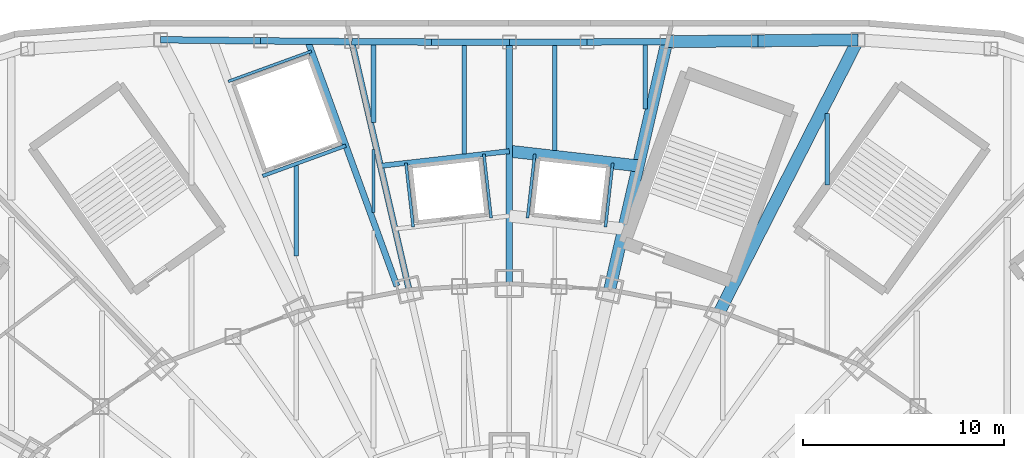
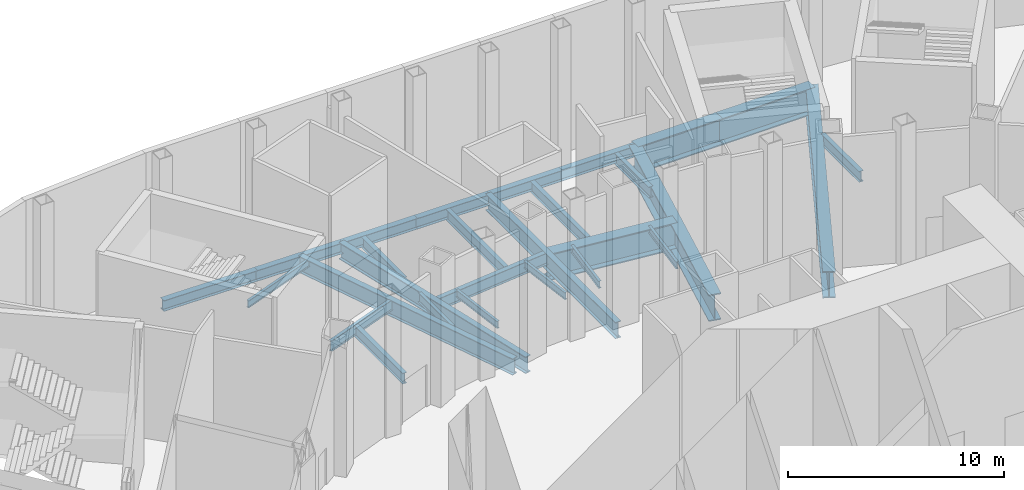
# One storey, part 8 of 74: 28 beams.
"""IFC4 building model written with IfcOpenShell, lengths in metres."""

import ifcopenshell
import ifcopenshell.guid

model = None  # the IFC model being written
_history = None  # IfcOwnerHistory: only IFC2X3 demands one
_inside = {}  # id of a spatial element -> (the spatial element, [elements in it])
_under = {}  # id of a project, library or spatial element -> (it, [spatial elements below it])
_declared = {}  # id of a project -> (the project, [libraries it declares])
_typed = {}  # id of a type object -> (the type object, [elements of that type])
_made_of = {}  # id of a material, layer set ... -> (it, [elements and type objects made of it])


def new_model(schema):
    """Start an empty IFC model of exactly this schema.

    Asked for "IFC4X3", IfcOpenShell would pick the latest addendum, in which some entities
    have other attributes; the version numbers below select the first issue.
    IFC2X3 requires an IfcOwnerHistory on every rooted entity: one is made here for all.
    """
    global model, _history
    if schema == "IFC4X3":
        model = ifcopenshell.file(schema_version=(4, 3, 0, 0))
    else:
        model = ifcopenshell.file(schema=schema)
    _inside.clear()
    _under.clear()
    _declared.clear()
    _typed.clear()
    _made_of.clear()
    _history = None
    if model.schema == "IFC2X3":
        org = make("IfcOrganization", Name="unknown")
        user = make(
            "IfcPersonAndOrganization",
            ThePerson=make("IfcPerson", FamilyName="unknown"),
            TheOrganization=org,
        )
        app = make(
            "IfcApplication",
            ApplicationDeveloper=org,
            Version="unknown",
            ApplicationFullName="unknown",
            ApplicationIdentifier="unknown",
        )
        _history = make(
            "IfcOwnerHistory",
            OwningUser=user,
            OwningApplication=app,
            ChangeAction="ADDED",
            CreationDate=0,
        )
    return model


def make(cls, **values):
    """One entity of the class cls with the attributes given. An attribute that is None is left unset."""
    return model.create_entity(
        cls, **{name: value for name, value in values.items() if value is not None}
    )


def rooted(cls, **values):
    """An entity with a GlobalId (a new one), such as an element, a storey or a relation."""
    return make(cls, GlobalId=ifcopenshell.guid.new(), OwnerHistory=_history, **values)


def si_unit(unit_type, name, prefix=None):
    """IfcSIUnit, for example si_unit("LENGTHUNIT", "METRE", prefix="MILLI")."""
    return make("IfcSIUnit", UnitType=unit_type, Prefix=prefix, Name=name)


def assignment(units):
    """IfcUnitAssignment: the units of a project."""
    return None if units is None else make("IfcUnitAssignment", Units=units)


def point(xyz):
    """IfcCartesianPoint."""
    return None if xyz is None else make("IfcCartesianPoint", Coordinates=xyz)


def direction(xyz):
    """IfcDirection."""
    return None if xyz is None else make("IfcDirection", DirectionRatios=xyz)


def frame(location, z_axis=None, x_axis=None):
    """IfcAxis2Placement3D, a coordinate frame: its origin and axes. An axis left out is left unset."""
    return make(
        "IfcAxis2Placement3D",
        Location=point(location),
        Axis=direction(z_axis),
        RefDirection=direction(x_axis),
    )


def frame_2d(location, x_axis=None):
    """IfcAxis2Placement2D, a coordinate frame in the plane: its origin and x axis."""
    return make(
        "IfcAxis2Placement2D", Location=point(location), RefDirection=direction(x_axis)
    )


def origin():
    """The frame at (0, 0, 0) with its axes left unset."""
    return frame((0.0, 0.0, 0.0))


def origin_2d():
    """The frame at (0, 0) in the plane with its x axis left unset."""
    return frame_2d((0.0, 0.0))


def place(relative_to, where):
    """IfcLocalPlacement: puts the frame where relative to a parent placement (None: the world)."""
    return make(
        "IfcLocalPlacement", PlacementRelTo=relative_to, RelativePlacement=where
    )


def context(
    kind, dimensions, precision=None, world=None, true_north=None, identifier=None
):
    """IfcGeometricRepresentationContext, for example the 3D "Model" context."""
    return make(
        "IfcGeometricRepresentationContext",
        ContextIdentifier=identifier,
        ContextType=kind,
        CoordinateSpaceDimension=dimensions,
        Precision=precision,
        WorldCoordinateSystem=world,
        TrueNorth=true_north,
    )


def subcontext(parent, identifier, kind, view, scale=None):
    """IfcGeometricRepresentationSubContext, for example "Body" below "Model"."""
    return make(
        "IfcGeometricRepresentationSubContext",
        ContextIdentifier=identifier,
        ContextType=kind,
        ParentContext=parent,
        TargetScale=scale,
        TargetView=view,
    )


def project(units=None, contexts=None):
    """IfcProject with its units and contexts."""
    return rooted(
        "IfcProject",
        Name="project",
        RepresentationContexts=contexts,
        UnitsInContext=assignment(units),
    )


def spatial(cls, under=None, at=None, **own):
    """A site, building, storey or space (cls), placed at a placement, below another one or the project."""
    s = rooted(cls, ObjectPlacement=at, **own)
    if under is not None:
        _under.setdefault(under.id(), (under, []))[1].append(s)
    return s


def profile(cls, at=None, kind="AREA", **sizes):
    """A parametric profile (cls). Its sizes go by their IFC names, for example OverallWidth=200.0."""
    return make(cls, ProfileType=kind, Position=at, **sizes)


def i_section(**sizes):
    """IfcIShapeProfileDef."""
    return profile("IfcIShapeProfileDef", **sizes)


def extrude(swept, where, along, depth):
    """IfcExtrudedAreaSolid: the profile swept, set in the frame where, extruded along a direction by depth."""
    return make(
        "IfcExtrudedAreaSolid",
        SweptArea=swept,
        Position=where,
        ExtrudedDirection=direction(along),
        Depth=depth,
    )


def shape(context_of_items, identifier, shape_type, items):
    """IfcShapeRepresentation: the items that make up one representation, for example the "Body"."""
    return make(
        "IfcShapeRepresentation",
        ContextOfItems=context_of_items,
        RepresentationIdentifier=identifier,
        RepresentationType=shape_type,
        Items=items,
    )


def material(Name=None, Category=None):
    """IfcMaterial."""
    return make("IfcMaterial", Name=Name, Category=Category)


def material_profile(
    of_material, cross_section, Name=None, Category=None, Priority=None
):
    """IfcMaterialProfile: a cross section and its material."""
    return make(
        "IfcMaterialProfile",
        Name=Name,
        Material=of_material,
        Profile=cross_section,
        Priority=Priority,
        Category=Category,
    )


def profile_set(profiles, Name=None, composite=None):
    """IfcMaterialProfileSet."""
    return make(
        "IfcMaterialProfileSet",
        Name=Name,
        MaterialProfiles=profiles,
        CompositeProfile=composite,
    )


def made_of(thing, what):
    """Note that an element or type object is made of a material, layer set ...; save() writes the relation."""
    if what is not None:
        _made_of.setdefault(what.id(), (what, []))[1].append(thing)
    return thing


def type_object(cls, material=None, **own):
    """A type object (cls), such as IfcWallType, which elements share."""
    return made_of(rooted(cls, **own), material)


def element(
    cls,
    number,
    at=None,
    inside=None,
    cuts=None,
    type_object=None,
    material=None,
    context=None,
    identifier="Body",
    shape_type=None,
    held_by="IfcProductDefinitionShape",
    body=None,
    shapes=None,
    **own,
):
    """One element of the class cls, such as IfcWall. Its Tag is "e" and its number.

    at: its placement. inside: the storey or other place that contains it. cuts: it is an
    opening in that element (IfcRelVoidsElement). A single representation is given by context,
    identifier, shape_type and body (its items); several are given by shapes. held_by: the class
    of the entity that holds the representations. save() writes the other relations.
    """
    e = rooted(cls, Tag="e%d" % number, ObjectPlacement=at, **own)
    if body is not None:
        shapes = [shape(context, identifier, shape_type, body)]
    if shapes is not None:
        e.Representation = make(held_by, Representations=shapes)
    if inside is not None:
        _inside.setdefault(inside.id(), (inside, []))[1].append(e)
    if cuts is not None:
        rooted(
            "IfcRelVoidsElement", RelatingBuildingElement=cuts, RelatedOpeningElement=e
        )
    if type_object is not None:
        _typed.setdefault(type_object.id(), (type_object, []))[1].append(e)
    return made_of(e, material)


def aggregate(whole, parts):
    """IfcRelAggregates: a whole, such as a stair, and the parts it consists of."""
    return rooted("IfcRelAggregates", RelatingObject=whole, RelatedObjects=parts)


def save(model, path):
    """Write the relations noted so far, then the file.

    IfcRelAggregates (storeys below a building ...), IfcRelContainedInSpatialStructure (elements
    in a storey), IfcRelDefinesByType, IfcRelAssociatesMaterial and IfcRelDeclares: one each for
    every whole, place, type object, material and project.
    """
    for whole, parts in _under.values():
        aggregate(whole, parts)
    for where, things in _inside.values():
        rooted(
            "IfcRelContainedInSpatialStructure",
            RelatedElements=things,
            RelatingStructure=where,
        )
    for kind, things in _typed.values():
        rooted("IfcRelDefinesByType", RelatedObjects=things, RelatingType=kind)
    for what, things in _made_of.values():
        rooted("IfcRelAssociatesMaterial", RelatedObjects=things, RelatingMaterial=what)
    for by, libraries in _declared.values():
        rooted("IfcRelDeclares", RelatingContext=by, RelatedDefinitions=libraries)
    model.write(path)


model = new_model("IFC4")

# Units and contexts
model_context = context("Model", 3, precision=1e-05, world=origin(), true_north=direction((0.0, 1.0)))
body_context = subcontext(model_context, "Body", "Model", "MODEL_VIEW")
ifc_project = project(units=[si_unit("LENGTHUNIT", "METRE"), si_unit("AREAUNIT", "SQUARE_METRE"), si_unit("VOLUMEUNIT", "CUBIC_METRE"), si_unit("PLANEANGLEUNIT", "RADIAN"), si_unit("MASSUNIT", "GRAM", prefix="KILO")], contexts=[model_context])

# Site, building, storey
site_placement = place(None, origin())
site = spatial("IfcSite", under=ifc_project, at=site_placement, CompositionType="ELEMENT")
building_placement = place(site_placement, origin())
building = spatial("IfcBuilding", under=site, at=building_placement, Name="Lantaw Convention Tower", CompositionType="ELEMENT")
storey_placement = place(building_placement, frame((0.0, 0.0, 6.5)))
storey = spatial("IfcBuildingStorey", under=building, at=storey_placement, Name="L01", CompositionType="ELEMENT", Elevation=6.5)

# Beams
ifc_material_1 = material(Name="Steel ASTM A572 Grade 50", Category="steel")
ifc_material_profile_1 = material_profile(ifc_material_1, i_section(OverallWidth=0.60009765625, OverallDepth=1.5, WebThickness=0.02490234375, FlangeThickness=0.06005859375, at=origin_2d()), Name="PG1500X600X25X60")
ifc_profile_set_1 = profile_set([ifc_material_profile_1], Name="Steel ASTM A572 Grade 50")
beam_type_1 = type_object("IfcBeamType", Name="Beam E PG1500X600X25X60", PredefinedType="SPANDREL", material=ifc_profile_set_1)
beam_1_placement = place(storey_placement, frame((17.333984375, 34.019775390625, -0.949951171875), z_axis=(-0.999942166471, -0.010754706535, 0.0), x_axis=(0.010754706535, -0.999942166471, 0.0)))
element("IfcBeam", 1, at=beam_1_placement, inside=storey, type_object=beam_type_1, Name="Podium edge beam R04", PredefinedType="SPANDREL", context=body_context, shape_type="SweptSolid", body=[
    extrude(i_section(OverallWidth=0.60009765625, OverallDepth=1.5, WebThickness=0.02490234375, FlangeThickness=0.06005859375, at=origin_2d()), origin(), (0.0, 0.0, 1.0), 4.971435546875),
])
beam_2_placement = place(storey_placement, frame((12.36279296875, 33.96630859375, -0.949951171875), z_axis=(-0.999964655563, -0.00840759331, 0.0), x_axis=(0.00840759331, -0.999964655563, 0.0)))
element("IfcBeam", 2, at=beam_2_placement, inside=storey, type_object=beam_type_1, Name="Podium edge beam B04", PredefinedType="SPANDREL", context=body_context, shape_type="SweptSolid", body=[
    extrude(i_section(OverallWidth=0.60009765625, OverallDepth=1.5, WebThickness=0.02490234375, FlangeThickness=0.06005859375, at=origin_2d()), origin(), (0.0, 0.0, 1.0), 4.530029296875),
])
ifc_material_2 = material(Name="Steel ASTM A992", Category="steel")
ifc_material_profile_2 = material_profile(ifc_material_2, i_section(OverallWidth=0.3251953125, OverallDepth=0.612060546875, WebThickness=0.0126953125, FlangeThickness=0.01904296875, FilletRadius=0.0126953125, at=origin_2d()), Name="W24X104")
ifc_profile_set_2 = profile_set([ifc_material_profile_2], Name="Steel ASTM A992")
beam_type_2 = type_object("IfcBeamType", Name="Beam E W24X104", PredefinedType="SPANDREL", material=ifc_profile_set_2)
beam_3_placement = place(storey_placement, frame((7.8330078125, 33.92822265625, -0.506103515625), z_axis=(-0.999985686096, -0.005350476918, 0.0), x_axis=(0.005350476918, -0.999985686096, 0.0)))
element("IfcBeam", 3, at=beam_3_placement, inside=storey, type_object=beam_type_2, Name="Podium edge beam R05", PredefinedType="SPANDREL", context=body_context, shape_type="SweptSolid", body=[
    extrude(i_section(OverallWidth=0.3251953125, OverallDepth=0.612060546875, WebThickness=0.0126953125, FlangeThickness=0.01904296875, FilletRadius=0.0126953125, at=origin_2d()), origin(), (0.0, 0.0, 1.0), 3.9697265625),
])
for number, where, z_axis, x_axis, name in (
    (4, (3.86328125, 33.906982421875, -0.506103515625), (-0.999998320684, -0.001832656174, 0.0), (0.001832656174, -0.999998320684, 0.0), "Podium edge beam B05"),
    (5, (0.0, 33.89990234375, -0.506103515625), (-0.999998320684, 0.001832656174, 0.0), (-0.001832656174, -0.999998320684, 0.0), "Podium edge beam R06"),
):
    element("IfcBeam", number, at=place(storey_placement, frame(where, z_axis=z_axis, x_axis=x_axis)), inside=storey, type_object=beam_type_2, Name=name, PredefinedType="SPANDREL", context=body_context, shape_type="SweptSolid", body=[
        extrude(i_section(OverallWidth=0.3251953125, OverallDepth=0.612060546875, WebThickness=0.0126953125, FlangeThickness=0.01904296875, FilletRadius=0.0126953125, at=origin_2d()), origin(), (0.0, 0.0, 1.0), 3.86328125),
    ])
beam_4_placement = place(storey_placement, frame((-3.86328125, 33.906982421875, -0.506103515625), z_axis=(-0.999985686096, 0.005350476918, 0.0), x_axis=(-0.005350476918, -0.999985686096, 0.0)))
element("IfcBeam", 6, at=beam_4_placement, inside=storey, type_object=beam_type_2, Name="Podium edge beam B06", PredefinedType="SPANDREL", context=body_context, shape_type="SweptSolid", body=[
    extrude(i_section(OverallWidth=0.3251953125, OverallDepth=0.612060546875, WebThickness=0.0126953125, FlangeThickness=0.01904296875, FilletRadius=0.0126953125, at=origin_2d()), origin(), (0.0, 0.0, 1.0), 3.9697265625),
])
beam_5_placement = place(storey_placement, frame((-7.8330078125, 33.92822265625, -0.506103515625), z_axis=(-0.999964655563, 0.00840759331, 0.0), x_axis=(-0.00840759331, -0.999964655563, 0.0)))
element("IfcBeam", 7, at=beam_5_placement, inside=storey, type_object=beam_type_2, Name="Podium edge beam R07", PredefinedType="SPANDREL", context=body_context, shape_type="SweptSolid", body=[
    extrude(i_section(OverallWidth=0.3251953125, OverallDepth=0.612060546875, WebThickness=0.0126953125, FlangeThickness=0.01904296875, FilletRadius=0.0126953125, at=origin_2d()), origin(), (0.0, 0.0, 1.0), 4.530029296875),
])
beam_6_placement = place(storey_placement, frame((-12.36279296875, 33.96630859375, -0.506103515625), z_axis=(-0.999942166471, 0.010754706535, 0.0), x_axis=(-0.010754706535, -0.999942166471, 0.0)))
element("IfcBeam", 8, at=beam_6_placement, inside=storey, type_object=beam_type_2, Name="Podium edge beam B07", PredefinedType="SPANDREL", context=body_context, shape_type="SweptSolid", body=[
    extrude(i_section(OverallWidth=0.3251953125, OverallDepth=0.612060546875, WebThickness=0.0126953125, FlangeThickness=0.01904296875, FilletRadius=0.0126953125, at=origin_2d()), origin(), (0.0, 0.0, 1.0), 4.971435546875),
])
ifc_material_profile_3 = material_profile(ifc_material_2, i_section(OverallWidth=0.165771484375, OverallDepth=0.5283203125, WebThickness=0.009765625, FlangeThickness=0.013671875, FilletRadius=0.012939453125, at=origin_2d()), Name="W21X50")
ifc_profile_set_3 = profile_set([ifc_material_profile_3], Name="Steel ASTM A992")
beam_type_3 = type_object("IfcBeamType", Name="Beam J W21X50", PredefinedType="JOIST", material=ifc_profile_set_3)
beam_7_placement = place(storey_placement, frame((-6.75, 25.42724609375, -0.464111328125), z_axis=(0.0, 1.0, 0.0), x_axis=(-1.0, 0.0, 0.0)))
element("IfcBeam", 9, at=beam_7_placement, inside=storey, type_object=beam_type_3, Name="Floor joist", PredefinedType="JOIST", context=body_context, shape_type="SweptSolid", body=[
    extrude(i_section(OverallWidth=0.165771484375, OverallDepth=0.5283203125, WebThickness=0.009765625, FlangeThickness=0.013671875, FilletRadius=0.012939453125, at=origin_2d()), origin(), (0.0, 0.0, 1.0), 3.127197265625),
])
ifc_material_profile_4 = material_profile(ifc_material_2, i_section(OverallWidth=0.22900390625, OverallDepth=0.612060546875, WebThickness=0.011962890625, FlangeThickness=0.01953125, FilletRadius=0.0126953125, at=origin_2d()), Name="W24X84")
ifc_profile_set_4 = profile_set([ifc_material_profile_4], Name="Steel ASTM A992")
beam_type_4 = type_object("IfcBeamType", Name="Beam J W24X84", PredefinedType="JOIST", material=ifc_profile_set_4)
beam_8_placement = place(storey_placement, frame((-10.60009765625, 23.27392578125, -0.506103515625), z_axis=(0.0, 1.0, 0.0), x_axis=(-1.0, 0.0, 0.0)))
element("IfcBeam", 10, at=beam_8_placement, inside=storey, type_object=beam_type_4, Name="Floor joist", PredefinedType="JOIST", context=body_context, shape_type="SweptSolid", body=[
    extrude(i_section(OverallWidth=0.22900390625, OverallDepth=0.612060546875, WebThickness=0.011962890625, FlangeThickness=0.01953125, FilletRadius=0.0126953125, at=origin_2d()), origin(), (0.0, 0.0, 1.0), 4.48583984375),
])
beam_9_placement = place(storey_placement, frame((-6.75, 29.920654296875, -0.506103515625), z_axis=(0.0, 1.0, 0.0), x_axis=(-1.0, 0.0, 0.0)))
element("IfcBeam", 11, at=beam_9_placement, inside=storey, type_object=beam_type_4, Name="Floor joist", PredefinedType="JOIST", context=body_context, shape_type="SweptSolid", body=[
    extrude(i_section(OverallWidth=0.22900390625, OverallDepth=0.612060546875, WebThickness=0.011962890625, FlangeThickness=0.01953125, FilletRadius=0.0126953125, at=origin_2d()), origin(), (0.0, 0.0, 1.0), 3.839111328125),
])
beam_10_placement = place(storey_placement, frame((-2.25, 28.3544921875, -0.506103515625), z_axis=(0.0, 1.0, 0.0), x_axis=(-1.0, 0.0, 0.0)))
element("IfcBeam", 12, at=beam_10_placement, inside=storey, type_object=beam_type_4, Name="Floor joist", PredefinedType="JOIST", context=body_context, shape_type="SweptSolid", body=[
    extrude(i_section(OverallWidth=0.22900390625, OverallDepth=0.612060546875, WebThickness=0.011962890625, FlangeThickness=0.01953125, FilletRadius=0.0126953125, at=origin_2d()), origin(), (0.0, 0.0, 1.0), 5.386962890625),
])
beam_11_placement = place(storey_placement, frame((2.25, 28.528564453125, -0.506103515625), z_axis=(0.0, 1.0, 0.0), x_axis=(-1.0, 0.0, 0.0)))
element("IfcBeam", 13, at=beam_11_placement, inside=storey, type_object=beam_type_4, Name="Floor joist", PredefinedType="JOIST", context=body_context, shape_type="SweptSolid", body=[
    extrude(i_section(OverallWidth=0.22900390625, OverallDepth=0.612060546875, WebThickness=0.011962890625, FlangeThickness=0.01953125, FilletRadius=0.0126953125, at=origin_2d()), origin(), (0.0, 0.0, 1.0), 5.212890625),
])
beam_12_placement = place(storey_placement, frame((6.75, 30.571044921875, -0.506103515625), z_axis=(0.0, 1.0, 0.0), x_axis=(-1.0, 0.0, 0.0)))
element("IfcBeam", 14, at=beam_12_placement, inside=storey, type_object=beam_type_4, Name="Floor joist", PredefinedType="JOIST", context=body_context, shape_type="SweptSolid", body=[
    extrude(i_section(OverallWidth=0.22900390625, OverallDepth=0.612060546875, WebThickness=0.011962890625, FlangeThickness=0.01953125, FilletRadius=0.0126953125, at=origin_2d()), origin(), (0.0, 0.0, 1.0), 3.188720703125),
])
beam_13_placement = place(storey_placement, frame((15.800048828125, 26.80029296875, -0.506103515625), z_axis=(0.0, 1.0, 0.0), x_axis=(-1.0, 0.0, 0.0)))
element("IfcBeam", 15, at=beam_13_placement, inside=storey, type_object=beam_type_4, Name="Floor joist", PredefinedType="JOIST", context=body_context, shape_type="SweptSolid", body=[
    extrude(i_section(OverallWidth=0.22900390625, OverallDepth=0.612060546875, WebThickness=0.011962890625, FlangeThickness=0.01953125, FilletRadius=0.0126953125, at=origin_2d()), origin(), (0.0, 0.0, 1.0), 3.548095703125),
])
ifc_material_profile_5 = material_profile(ifc_material_1, i_section(OverallWidth=0.60009765625, OverallDepth=1.5, WebThickness=0.02490234375, FlangeThickness=0.06005859375, at=origin_2d()), Name="PG1500X600X25X60")
ifc_profile_set_5 = profile_set([ifc_material_profile_5], Name="Steel ASTM A572 Grade 50")
beam_type_5 = type_object("IfcBeamType", Name="Beam PG PG1500X600X25X60", PredefinedType="BEAM", material=ifc_profile_set_5)
beam_14_placement = place(storey_placement, frame((10.462646484375, 20.533935546875, -0.949951171875), z_axis=(0.453988364005, 0.891007612396, 0.0), x_axis=(-0.891007612396, 0.453988364005, 0.0)))
element("IfcBeam", 16, at=beam_14_placement, inside=storey, type_object=beam_type_5, Name="Podium girder PR05", PredefinedType="BEAM", context=body_context, shape_type="SweptSolid", body=[
    extrude(i_section(OverallWidth=0.60009765625, OverallDepth=1.5, WebThickness=0.02490234375, FlangeThickness=0.06005859375, at=origin_2d()), origin(), (0.0, 0.0, 1.0), 15.135498046875),
])
beam_15_placement = place(storey_placement, frame((4.986328125, 21.59814453125, -0.949951171875), z_axis=(0.224955319834, 0.974369080009, 0.0), x_axis=(-0.974369080009, 0.224955319834, 0.0)))
element("IfcBeam", 17, at=beam_15_placement, inside=storey, type_object=beam_type_5, Name="Podium girder PR06", PredefinedType="BEAM", context=body_context, shape_type="SweptSolid", body=[
    extrude(i_section(OverallWidth=0.60009765625, OverallDepth=1.5, WebThickness=0.02490234375, FlangeThickness=0.06005859375, at=origin_2d()), origin(), (0.0, 0.0, 1.0), 12.654541015625),
])
ifc_material_profile_6 = material_profile(ifc_material_2, i_section(OverallWidth=0.307373046875, OverallDepth=0.922119140625, WebThickness=0.018310546875, FlangeThickness=0.030029296875, FilletRadius=0.0126953125, at=origin_2d()), Name="W36X182")
ifc_profile_set_6 = profile_set([ifc_material_profile_6], Name="Steel ASTM A992")
beam_type_6 = type_object("IfcBeamType", Name="Beam PG W36X182", PredefinedType="BEAM", material=ifc_profile_set_6)
beam_16_placement = place(storey_placement, frame((0.0, 21.89990234375, -0.660888671875), z_axis=(0.0, 1.0, 0.0), x_axis=(-1.0, 0.0, 0.0)))
element("IfcBeam", 18, at=beam_16_placement, inside=storey, type_object=beam_type_6, Name="Podium girder PR07", PredefinedType="BEAM", context=body_context, shape_type="SweptSolid", body=[
    extrude(i_section(OverallWidth=0.307373046875, OverallDepth=0.922119140625, WebThickness=0.018310546875, FlangeThickness=0.030029296875, FilletRadius=0.0126953125, at=origin_2d()), origin(), (0.0, 0.0, 1.0), 12.0),
])
ifc_material_profile_7 = material_profile(ifc_material_2, i_section(OverallWidth=0.307373046875, OverallDepth=0.9423828125, WebThickness=0.022216796875, FlangeThickness=0.039794921875, FilletRadius=0.0126953125, at=origin_2d()), Name="W36X232")
ifc_profile_set_7 = profile_set([ifc_material_profile_7], Name="Steel ASTM A992")
beam_type_7 = type_object("IfcBeamType", Name="Beam PG W36X232", PredefinedType="BEAM", material=ifc_profile_set_7)
beam_17_placement = place(storey_placement, frame((-4.986328125, 21.59814453125, -0.671142578125), z_axis=(-0.224955319834, 0.974369080009, 0.0), x_axis=(-0.974369080009, -0.224955319834, 0.0)))
element("IfcBeam", 19, at=beam_17_placement, inside=storey, type_object=beam_type_7, Name="Podium girder PR08", PredefinedType="BEAM", context=body_context, shape_type="SweptSolid", body=[
    extrude(i_section(OverallWidth=0.307373046875, OverallDepth=0.9423828125, WebThickness=0.022216796875, FlangeThickness=0.039794921875, FilletRadius=0.0126953125, at=origin_2d()), origin(), (0.0, 0.0, 1.0), 12.654541015625),
])
ifc_material_profile_8 = material_profile(ifc_material_1, i_section(OverallWidth=0.60009765625, OverallDepth=1.5, WebThickness=0.02490234375, FlangeThickness=0.06005859375, at=origin_2d()), Name="PG1500X600X25X60")
ifc_profile_set_8 = profile_set([ifc_material_profile_8], Name="Steel ASTM A572 Grade 50")
beam_type_8 = type_object("IfcBeamType", Name="Beam TR PG1500X600X25X60", PredefinedType="BEAM", material=ifc_profile_set_8)
beam_18_placement = place(storey_placement, frame((0.0, 28.483154296875, -0.949951171875), z_axis=(0.993572392644, -0.113198500762, 0.0), x_axis=(0.113198500762, 0.993572392644, 0.0)))
element("IfcBeam", 20, at=beam_18_placement, inside=storey, type_object=beam_type_8, Name="Opening trimmer beam", PredefinedType="BEAM", context=body_context, shape_type="SweptSolid", body=[
    extrude(i_section(OverallWidth=0.60009765625, OverallDepth=1.5, WebThickness=0.02490234375, FlangeThickness=0.06005859375, at=origin_2d()), origin(), (0.0, 0.0, 1.0), 6.44873046875),
])
ifc_material_profile_9 = material_profile(ifc_material_2, i_section(OverallWidth=0.140380859375, OverallDepth=0.40380859375, WebThickness=0.007080078125, FlangeThickness=0.01123046875, FilletRadius=0.01025390625, at=origin_2d()), Name="W16X31")
ifc_profile_set_9 = profile_set([ifc_material_profile_9], Name="Steel ASTM A992")
beam_type_9 = type_object("IfcBeamType", Name="Beam TR W16X31", PredefinedType="BEAM", material=ifc_profile_set_9)
beam_19_placement = place(storey_placement, frame((0.904052734375, 25.159423828125, -0.40185546875), z_axis=(0.113144208648, 0.993578576686, 0.0), x_axis=(-0.993578576686, 0.113144208648, 0.0)))
element("IfcBeam", 21, at=beam_19_placement, inside=storey, type_object=beam_type_9, Name="Opening header beam", PredefinedType="BEAM", context=body_context, shape_type="SweptSolid", body=[
    extrude(i_section(OverallWidth=0.140380859375, OverallDepth=0.40380859375, WebThickness=0.007080078125, FlangeThickness=0.01123046875, FilletRadius=0.01025390625, at=origin_2d()), origin(), (0.0, 0.0, 1.0), 3.199951171875),
])
for number, where, z_axis, x_axis, name in (
    (22, (5.14111328125, 27.897216796875, -0.40185546875), (-0.11322810814, -0.993569019005, 0.0), (0.993569019005, -0.11322810814, 0.0), "Opening header beam"),
    (23, (-4.77880859375, 24.718017578125, -0.40185546875), (-0.11322810814, 0.993569019005, 0.0), (-0.993569019005, -0.11322810814, 0.0), "Opening header beam"),
):
    element("IfcBeam", number, at=place(storey_placement, frame(where, z_axis=z_axis, x_axis=x_axis)), inside=storey, type_object=beam_type_9, Name=name, PredefinedType="BEAM", context=body_context, shape_type="SweptSolid", body=[
        extrude(i_section(OverallWidth=0.140380859375, OverallDepth=0.40380859375, WebThickness=0.007080078125, FlangeThickness=0.01123046875, FilletRadius=0.01025390625, at=origin_2d()), origin(), (0.0, 0.0, 1.0), 3.19970703125),
    ])
beam_20_placement = place(storey_placement, frame((-1.26611328125, 28.3388671875, -0.40185546875), z_axis=(0.113144208648, -0.993578576686, 0.0), x_axis=(0.993578576686, 0.113144208648, 0.0)))
element("IfcBeam", 24, at=beam_20_placement, inside=storey, type_object=beam_type_9, Name="Opening header beam", PredefinedType="BEAM", context=body_context, shape_type="SweptSolid", body=[
    extrude(i_section(OverallWidth=0.140380859375, OverallDepth=0.40380859375, WebThickness=0.007080078125, FlangeThickness=0.01123046875, FilletRadius=0.01025390625, at=origin_2d()), origin(), (0.0, 0.0, 1.0), 3.199951171875),
])
beam_21_placement = place(storey_placement, frame((-13.9697265625, 31.948974609375, -0.40185546875), z_axis=(0.939696185245, 0.342010349897, 0.0), x_axis=(-0.342010349897, 0.939696185245, 0.0)))
element("IfcBeam", 25, at=beam_21_placement, inside=storey, type_object=beam_type_9, Name="Opening header beam", PredefinedType="BEAM", context=body_context, shape_type="SweptSolid", body=[
    extrude(i_section(OverallWidth=0.140380859375, OverallDepth=0.40380859375, WebThickness=0.007080078125, FlangeThickness=0.01123046875, FilletRadius=0.01025390625, at=origin_2d()), origin(), (0.0, 0.0, 1.0), 4.400146484375),
])
ifc_material_profile_10 = material_profile(ifc_material_2, i_section(OverallWidth=0.177978515625, OverallDepth=0.599365234375, WebThickness=0.010009765625, FlangeThickness=0.012939453125, FilletRadius=0.012939453125, at=origin_2d()), Name="W24X55")
ifc_profile_set_10 = profile_set([ifc_material_profile_10], Name="Steel ASTM A992")
beam_type_10 = type_object("IfcBeamType", Name="Beam TR W24X55", PredefinedType="BEAM", material=ifc_profile_set_10)
beam_22_placement = place(storey_placement, frame((-8.124755859375, 28.75537109375, -0.499755859375), z_axis=(-0.939696185245, -0.342010349897, 0.0), x_axis=(0.342010349897, -0.939696185245, 0.0)))
element("IfcBeam", 26, at=beam_22_placement, inside=storey, type_object=beam_type_10, Name="Opening header beam", PredefinedType="BEAM", context=body_context, shape_type="SweptSolid", body=[
    extrude(i_section(OverallWidth=0.177978515625, OverallDepth=0.599365234375, WebThickness=0.010009765625, FlangeThickness=0.012939453125, FilletRadius=0.012939453125, at=origin_2d()), origin(), (0.0, 0.0, 1.0), 4.400146484375),
])
ifc_material_profile_11 = material_profile(ifc_material_2, i_section(OverallWidth=0.25390625, OverallDepth=0.683349609375, WebThickness=0.012451171875, FlangeThickness=0.01904296875, FilletRadius=0.01513671875, at=origin_2d()), Name="W27X94")
ifc_profile_set_11 = profile_set([ifc_material_profile_11], Name="Steel ASTM A992")
beam_type_11 = type_object("IfcBeamType", Name="Beam TR W27X94", PredefinedType="BEAM", material=ifc_profile_set_11)
beam_23_placement = place(storey_placement, frame((-6.4072265625, 27.753173828125, -0.541748046875), z_axis=(0.993572392644, 0.113198500762, 0.0), x_axis=(-0.113198500762, 0.993572392644, 0.0)))
element("IfcBeam", 27, at=beam_23_placement, inside=storey, type_object=beam_type_11, Name="Opening trimmer beam", PredefinedType="BEAM", context=body_context, shape_type="SweptSolid", body=[
    extrude(i_section(OverallWidth=0.25390625, OverallDepth=0.683349609375, WebThickness=0.012451171875, FlangeThickness=0.01904296875, FilletRadius=0.01513671875, at=origin_2d()), origin(), (0.0, 0.0, 1.0), 6.44873046875),
])
ifc_material_profile_12 = material_profile(ifc_material_2, i_section(OverallWidth=0.307373046875, OverallDepth=0.922119140625, WebThickness=0.018310546875, FlangeThickness=0.030029296875, FilletRadius=0.0126953125, at=origin_2d()), Name="W36X182")
ifc_profile_set_12 = profile_set([ifc_material_profile_12], Name="Steel ASTM A992")
beam_type_12 = type_object("IfcBeamType", Name="Beam TR W36X182", PredefinedType="BEAM", material=ifc_profile_set_12)
beam_24_placement = place(storey_placement, frame((-10.014404296875, 33.946533203125, -0.660888671875), z_axis=(0.342030721623, -0.939688770533, 0.0), x_axis=(0.939688770533, 0.342030721623, 0.0)))
element("IfcBeam", 28, at=beam_24_placement, inside=storey, type_object=beam_type_12, Name="Opening trimmer beam", PredefinedType="BEAM", context=body_context, shape_type="SweptSolid", body=[
    extrude(i_section(OverallWidth=0.307373046875, OverallDepth=0.922119140625, WebThickness=0.018310546875, FlangeThickness=0.030029296875, FilletRadius=0.0126953125, at=origin_2d()), origin(), (0.0, 0.0, 1.0), 12.94677734375),
])

save(model, "model.ifc")
